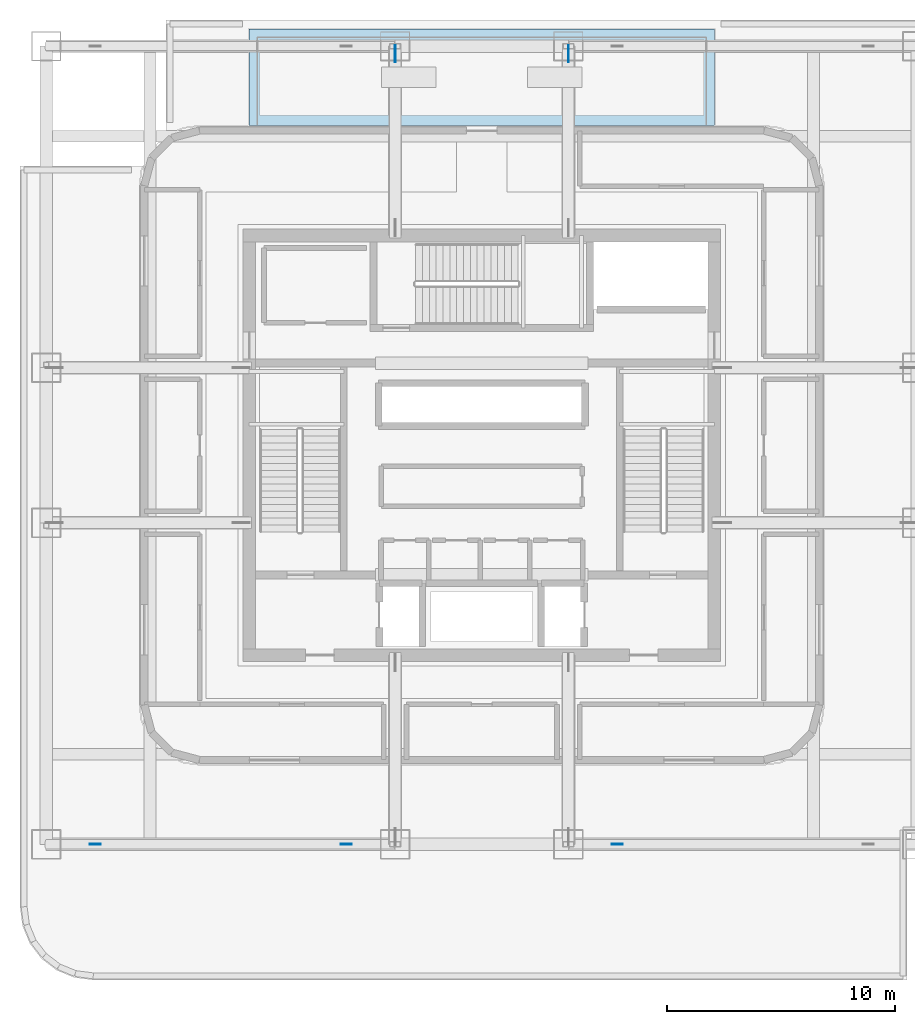
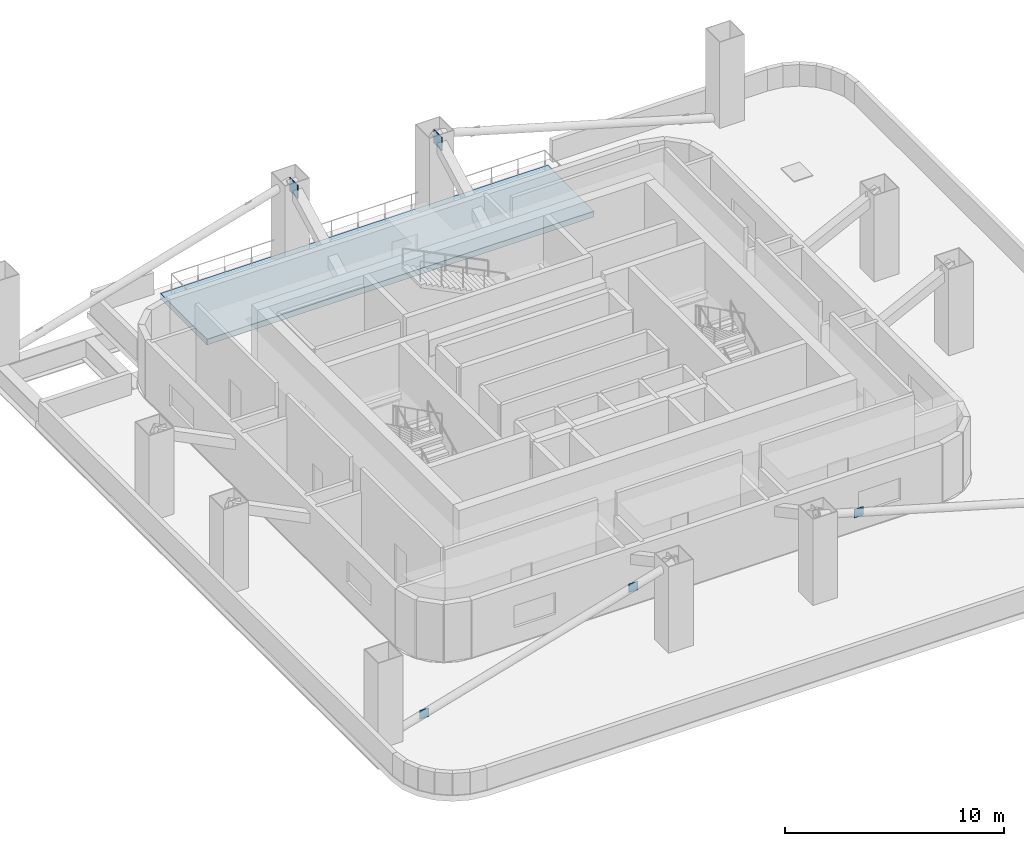
# One storey, part 2 of 11: 5 plates, 1 slab.
"""IFC4 building model written with IfcOpenShell, lengths in metres."""

from ifc_helpers import new_model, si_unit, direction, frame, origin, origin_2d, place, context, subcontext, project, spatial, polyline, rectangle, outline, extrude, material, layer, layer_set, type_object, element, save


model = new_model("IFC4")

# Units and contexts
model_context = context("Model", 3, precision=1e-05, world=origin(), true_north=direction((0.0, 1.0)))
body_context = subcontext(model_context, "Body", "Model", "MODEL_VIEW")
ifc_project = project(units=[si_unit("LENGTHUNIT", "METRE"), si_unit("AREAUNIT", "SQUARE_METRE"), si_unit("VOLUMEUNIT", "CUBIC_METRE"), si_unit("PLANEANGLEUNIT", "RADIAN"), si_unit("MASSUNIT", "GRAM", prefix="KILO")], contexts=[model_context])

# Site, building, storey
site_placement = place(None, origin())
site = spatial("IfcSite", under=ifc_project, at=site_placement, CompositionType="ELEMENT")
building_placement = place(site_placement, origin())
building = spatial("IfcBuilding", under=site, at=building_placement, Name="Punatoya Terracotta Tower", CompositionType="ELEMENT")
storey_placement = place(building_placement, frame((0.0, 0.0, 237.0)))
storey = spatial("IfcBuildingStorey", under=building, at=storey_placement, Name="L56", CompositionType="ELEMENT", Elevation=237.0)

# Plates
ifc_material_1 = material(Name="Steel S460", Category="steel")
ifc_layer_1 = layer(ifc_material_1, 0.031982421875)
ifc_layer_set_1 = layer_set([ifc_layer_1], Name="Steel S460")
plate_type_1 = type_object("IfcPlateType", Name="PLT-END-32", PredefinedType="USERDEFINED", material=ifc_layer_set_1)
for number, where, z_axis, x_axis, name in (
    (1, (-16.9580078125, -17.5, 0.401611328125), (0.0, 0.0, 1.0), (1.0, 0.0, 0.0), "L56 Ring Strut NST-1 End Plate 1"),
    (2, (-5.94189453125, -17.5, 3.598388671875), (0.0, 0.0, 1.0), (1.0, 0.0, 0.0), "L56 Ring Strut NST-1 End Plate 2"),
    (3, (5.94189453125, -17.5, 3.598388671875), (0.0, 0.0, 1.0), (1.0, 0.0, 0.0), "L56 Ring Strut NST-2 End Plate 1"),
):
    element("IfcPlate", number, at=place(storey_placement, frame(where, z_axis=z_axis, x_axis=x_axis)), inside=storey, type_object=plate_type_1, Name=name, ObjectType="FLANGE_PLATE", PredefinedType="USERDEFINED", context=body_context, shape_type="SweptSolid", body=[
        extrude(rectangle(XDim=0.47998046875, YDim=0.031982421875, at=origin_2d()), origin(), (0.0, 0.0, 1.0), 0.47998046875),
    ])
ifc_layer_2 = layer(ifc_material_1, 0.035888671875)
ifc_layer_set_2 = layer_set([ifc_layer_2], Name="Steel S460")
plate_type_2 = type_object("IfcPlateType", Name="PLT-GUS-36", PredefinedType="USERDEFINED", material=ifc_layer_set_2)
for number, where, z_axis, x_axis, name in (
    (4, (-3.800048828125, 17.16796875, 3.907470703125), (0.0, 0.0, 1.0), (0.0, 1.0, 0.0), "L56 Outrigger Mega-Column Gusset Plate NW"),
    (5, (3.800048828125, 17.16796875, 3.907470703125), (0.0, 0.0, 1.0), (0.0, 1.0, 0.0), "L56 Outrigger Mega-Column Gusset Plate NE"),
):
    element("IfcPlate", number, at=place(storey_placement, frame(where, z_axis=z_axis, x_axis=x_axis)), inside=storey, type_object=plate_type_2, Name=name, ObjectType="GUSSET_PLATE", PredefinedType="USERDEFINED", context=body_context, shape_type="SweptSolid", body=[
        extrude(rectangle(XDim=0.75, YDim=0.035888671875, at=origin_2d()), origin(), (0.0, 0.0, 1.0), 0.75),
    ])

# Slab
ifc_material_2 = material(Name="Concrete C40/50", Category="concrete")
ifc_layer_3 = layer(ifc_material_2, 0.320068359375)
ifc_layer_set_3 = layer_set([ifc_layer_3], Name="Concrete C40/50")
slab_type = type_object("IfcSlabType", Name="SLB-PLT-320", PredefinedType="FLOOR", material=ifc_layer_set_3)
slab_placement = place(storey_placement, frame((0.0, 0.0, -0.320068359375)))
element("IfcSlab", 6, at=slab_placement, inside=storey, type_object=slab_type, Name="L56 Hover-Neck Sky Garden Terrace", PredefinedType="FLOOR", context=body_context, shape_type="SweptSolid", body=[
    extrude(outline(polyline([(-10.199951171875, 18.25), (10.199951171875, 18.25), (10.199951171875, 14.02001953125), (-10.199951171875, 14.02001953125), (-10.199951171875, 18.25)])), origin(), (0.0, 0.0, 1.0), 0.320068359375),
])

save(model, "model.ifc")
